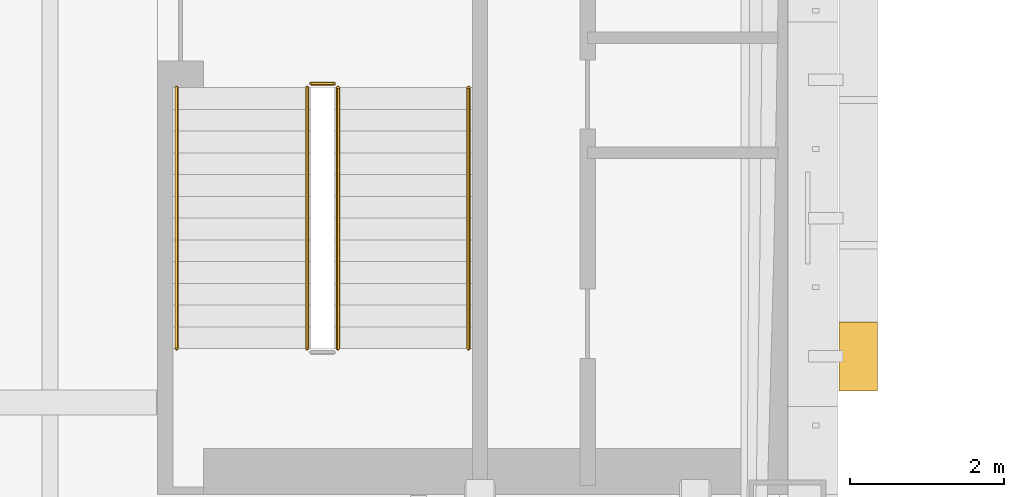
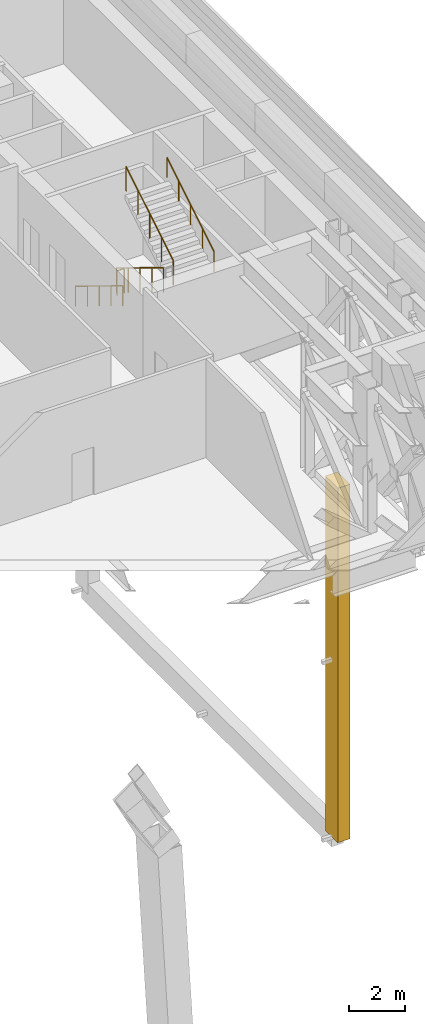
# One storey, part 28 of 39: 5 railings, 1 covering.
"""IFC4 building model written with IfcOpenShell, lengths in metres."""

from ifc_helpers import new_model, si_unit, direction, frame, origin, origin_2d, place, context, subcontext, project, spatial, rectangle, circle, extrude, material, material_profile, profile_set, type_object, element, save


model = new_model("IFC4")

# Units and contexts
model_context = context("Model", 3, precision=1e-05, world=origin(), true_north=direction((0.0, 1.0)))
body_context = subcontext(model_context, "Body", "Model", "MODEL_VIEW")
ifc_project = project(units=[si_unit("LENGTHUNIT", "METRE"), si_unit("AREAUNIT", "SQUARE_METRE"), si_unit("VOLUMEUNIT", "CUBIC_METRE"), si_unit("PLANEANGLEUNIT", "RADIAN"), si_unit("MASSUNIT", "GRAM", prefix="KILO")], contexts=[model_context])

# Site, building, storey
site_placement = place(None, origin())
site = spatial("IfcSite", under=ifc_project, at=site_placement, CompositionType="ELEMENT")
building_placement = place(site_placement, origin())
building = spatial("IfcBuilding", under=site, at=building_placement, Name="Cobrizo Arcos Hotel Tower", CompositionType="ELEMENT")
storey_placement = place(building_placement, frame((0.0, 0.0, 84.5)))
storey = spatial("IfcBuildingStorey", under=building, at=storey_placement, Name="L20", CompositionType="ELEMENT", Elevation=84.5)

# Covering
ifc_material_1 = material(Name="Aluminium 6063-T6 anodised pale", Category="aluminium")
ifc_material_profile = material_profile(ifc_material_1, rectangle(XDim=0.5, YDim=0.89990234375, at=origin_2d()), Name="AF-2 core arch rim 500x900")
ifc_profile_set = profile_set([ifc_material_profile], Name="Aluminium 6063-T6 anodised pale")
covering_type = type_object("IfcCoveringType", Name="AF-2 core arch rim 500x900", PredefinedType="CLADDING", material=ifc_profile_set)
covering_placement = place(storey_placement, frame((24.925048828125, -9.0, -24.050048828125), z_axis=(0.0, 0.0, 1.0), x_axis=(1.0, 0.0, 0.0)))
element("IfcCovering", 1, at=covering_placement, inside=storey, type_object=covering_type, Name="Arch rim A E face", PredefinedType="CLADDING", context=body_context, shape_type="SweptSolid", body=[
    extrude(rectangle(XDim=0.5, YDim=0.89990234375, at=origin_2d()), origin(), (0.0, 0.0, 1.0), 15.58984375),
])

# Railings
ifc_material_2 = material(Name="Stainless steel railing", Category="steel")
railing_type_1 = type_object("IfcRailingType", Name="Stair guard 1100", PredefinedType="GUARDRAIL", material=ifc_material_2)
railing_1_placement = place(storey_placement, frame((17.75, -5.5, 0.173095703125)))
element("IfcRailing", 2, at=railing_1_placement, inside=storey, type_object=railing_type_1, Name="L20 ST-E stair guard 1", PredefinedType="GUARDRAIL", context=body_context, shape_type="SweptSolid", body=[
    extrude(circle(Radius=0.02392578125, at=origin_2d()), frame((0.0, 0.0, 1.076171875), z_axis=(0.0, -0.853372706543, 0.52130127923), x_axis=(1.0, 0.0, 0.0)), (0.0, 0.0, 1.0), 3.984130859375),
    extrude(circle(Radius=0.02099609375, at=origin_2d()), origin(), (0.0, 0.0, 1.0), 1.052001953125),
    extrude(circle(Radius=0.02099609375, at=origin_2d()), frame((0.0, -0.85009765625, 0.519287109375)), (0.0, 0.0, 1.0), 1.052001953125),
    extrude(circle(Radius=0.02099609375, at=origin_2d()), frame((0.0, -1.699951171875, 1.03857421875)), (0.0, 0.0, 1.0), 1.052001953125),
    extrude(circle(Radius=0.02099609375, at=origin_2d()), frame((0.0, -2.5498046875, 1.5576171875)), (0.0, 0.0, 1.0), 1.052001953125),
    extrude(circle(Radius=0.02099609375, at=origin_2d()), frame((0.0, -3.39990234375, 2.076904296875)), (0.0, 0.0, 1.0), 1.052001953125),
])
railing_2_placement = place(storey_placement, frame((18.14990234375, -8.89990234375, 2.423095703125)))
element("IfcRailing", 3, at=railing_2_placement, inside=storey, type_object=railing_type_1, Name="L20 ST-E stair guard 3", PredefinedType="GUARDRAIL", context=body_context, shape_type="SweptSolid", body=[
    extrude(circle(Radius=0.02392578125, at=origin_2d()), frame((0.0, 0.0, 1.076171875), z_axis=(0.0, 0.853372706543, 0.52130127923), x_axis=(-1.0, 0.0, 0.0)), (0.0, 0.0, 1.0), 3.984130859375),
    extrude(circle(Radius=0.02099609375, at=origin_2d()), origin(), (0.0, 0.0, 1.0), 1.052001953125),
    extrude(circle(Radius=0.02099609375, at=origin_2d()), frame((0.0, 0.85009765625, 0.519287109375)), (0.0, 0.0, 1.0), 1.052001953125),
    extrude(circle(Radius=0.02099609375, at=origin_2d()), frame((0.0, 1.699951171875, 1.03857421875)), (0.0, 0.0, 1.0), 1.052001953125),
    extrude(circle(Radius=0.02099609375, at=origin_2d()), frame((0.0, 2.5498046875, 1.5576171875)), (0.0, 0.0, 1.0), 1.052001953125),
    extrude(circle(Radius=0.02099609375, at=origin_2d()), frame((0.0, 3.39990234375, 2.076904296875)), (0.0, 0.0, 1.0), 1.052001953125),
])
railing_3_placement = place(storey_placement, frame((17.800048828125, -5.449951171875, 0.0)))
element("IfcRailing", 4, at=railing_3_placement, inside=storey, type_object=railing_type_1, Name="L20 ST-E stair guard 4", PredefinedType="GUARDRAIL", context=body_context, shape_type="SweptSolid", body=[
    extrude(circle(Radius=0.02392578125, at=origin_2d()), frame((0.0, 0.0, 1.076171875), z_axis=(1.0, 0.0, 0.0), x_axis=(0.0, 1.0, 0.0)), (0.0, 0.0, 1.0), 0.300048828125),
    extrude(circle(Radius=0.02099609375, at=origin_2d()), origin(), (0.0, 0.0, 1.0), 1.052001953125),
    extrude(circle(Radius=0.02099609375, at=origin_2d()), frame((0.300048828125, 0.0, 0.0)), (0.0, 0.0, 1.0), 1.052001953125),
])
railing_type_2 = type_object("IfcRailingType", Name="Stair handrail", PredefinedType="HANDRAIL", material=ifc_material_2)
railing_4_placement = place(storey_placement, frame((16.050048828125, -5.5, 0.173095703125)))
element("IfcRailing", 5, at=railing_4_placement, inside=storey, type_object=railing_type_2, Name="L20 ST-E stair handrail 1", PredefinedType="HANDRAIL", context=body_context, shape_type="SweptSolid", body=[
    extrude(circle(Radius=0.02392578125, at=origin_2d()), frame((0.0, 0.0, 0.8759765625), z_axis=(0.0, -0.853372706543, 0.52130127923), x_axis=(1.0, 0.0, 0.0)), (0.0, 0.0, 1.0), 3.984130859375),
    extrude(circle(Radius=0.02099609375, at=origin_2d()), origin(), (0.0, 0.0, 1.0), 0.851806640625),
    extrude(circle(Radius=0.02099609375, at=origin_2d()), frame((0.0, -0.85009765625, 0.519287109375)), (0.0, 0.0, 1.0), 0.851806640625),
    extrude(circle(Radius=0.02099609375, at=origin_2d()), frame((0.0, -1.699951171875, 1.03857421875)), (0.0, 0.0, 1.0), 0.851806640625),
    extrude(circle(Radius=0.02099609375, at=origin_2d()), frame((0.0, -2.5498046875, 1.5576171875)), (0.0, 0.0, 1.0), 0.851806640625),
    extrude(circle(Radius=0.02099609375, at=origin_2d()), frame((0.0, -3.39990234375, 2.076904296875)), (0.0, 0.0, 1.0), 0.851806640625),
])
railing_5_placement = place(storey_placement, frame((19.85009765625, -8.89990234375, 2.423095703125)))
element("IfcRailing", 6, at=railing_5_placement, inside=storey, type_object=railing_type_2, Name="L20 ST-E stair handrail 2", PredefinedType="HANDRAIL", context=body_context, shape_type="SweptSolid", body=[
    extrude(circle(Radius=0.02392578125, at=origin_2d()), frame((0.0, 0.0, 0.8759765625), z_axis=(0.0, 0.853372706543, 0.52130127923), x_axis=(-1.0, 0.0, 0.0)), (0.0, 0.0, 1.0), 3.984130859375),
    extrude(circle(Radius=0.02099609375, at=origin_2d()), origin(), (0.0, 0.0, 1.0), 0.851806640625),
    extrude(circle(Radius=0.02099609375, at=origin_2d()), frame((0.0, 0.85009765625, 0.519287109375)), (0.0, 0.0, 1.0), 0.851806640625),
    extrude(circle(Radius=0.02099609375, at=origin_2d()), frame((0.0, 1.699951171875, 1.03857421875)), (0.0, 0.0, 1.0), 0.851806640625),
    extrude(circle(Radius=0.02099609375, at=origin_2d()), frame((0.0, 2.5498046875, 1.5576171875)), (0.0, 0.0, 1.0), 0.851806640625),
    extrude(circle(Radius=0.02099609375, at=origin_2d()), frame((0.0, 3.39990234375, 2.076904296875)), (0.0, 0.0, 1.0), 0.851806640625),
])

save(model, "model.ifc")
